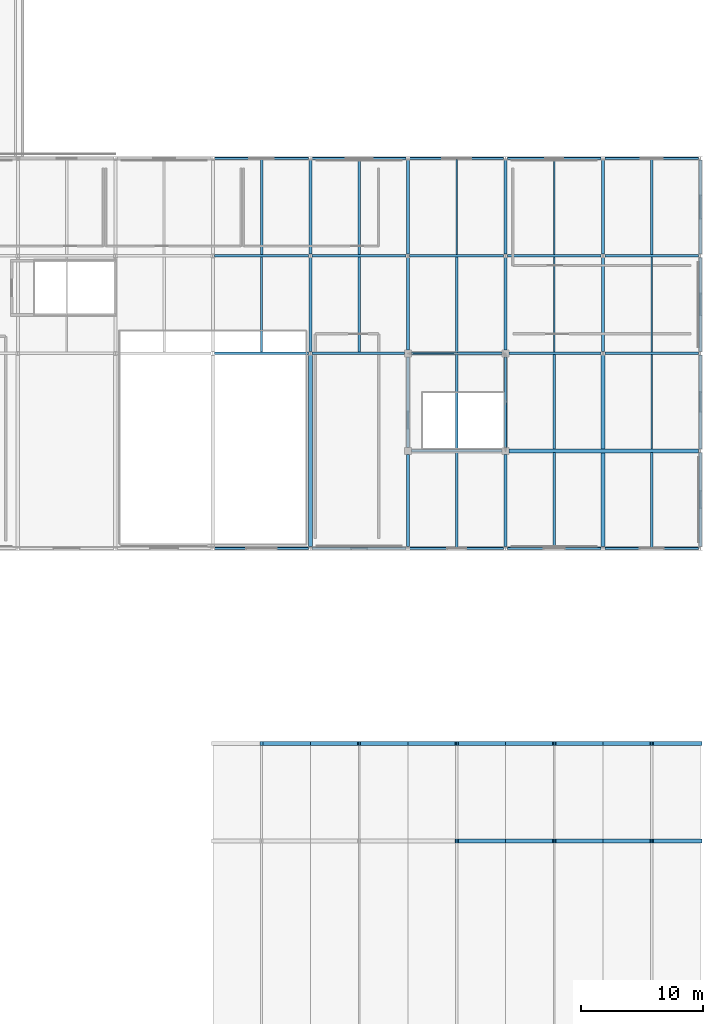
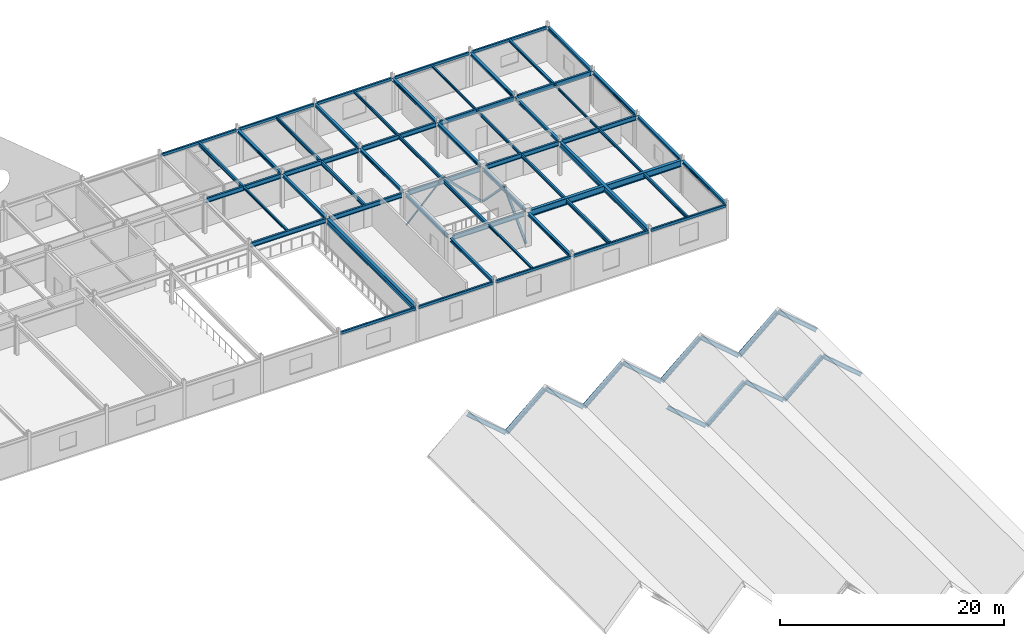
# One storey, part 37 of 88: 56 beams, 18 members.
"""IFC4 building model written with IfcOpenShell, lengths in metres."""

import ifcopenshell
import ifcopenshell.guid

model = None  # the IFC model being written
_history = None  # IfcOwnerHistory: only IFC2X3 demands one
_inside = {}  # id of a spatial element -> (the spatial element, [elements in it])
_under = {}  # id of a project, library or spatial element -> (it, [spatial elements below it])
_declared = {}  # id of a project -> (the project, [libraries it declares])
_typed = {}  # id of a type object -> (the type object, [elements of that type])
_made_of = {}  # id of a material, layer set ... -> (it, [elements and type objects made of it])


def new_model(schema):
    """Start an empty IFC model of exactly this schema.

    Asked for "IFC4X3", IfcOpenShell would pick the latest addendum, in which some entities
    have other attributes; the version numbers below select the first issue.
    IFC2X3 requires an IfcOwnerHistory on every rooted entity: one is made here for all.
    """
    global model, _history
    if schema == "IFC4X3":
        model = ifcopenshell.file(schema_version=(4, 3, 0, 0))
    else:
        model = ifcopenshell.file(schema=schema)
    _inside.clear()
    _under.clear()
    _declared.clear()
    _typed.clear()
    _made_of.clear()
    _history = None
    if model.schema == "IFC2X3":
        org = make("IfcOrganization", Name="unknown")
        user = make(
            "IfcPersonAndOrganization",
            ThePerson=make("IfcPerson", FamilyName="unknown"),
            TheOrganization=org,
        )
        app = make(
            "IfcApplication",
            ApplicationDeveloper=org,
            Version="unknown",
            ApplicationFullName="unknown",
            ApplicationIdentifier="unknown",
        )
        _history = make(
            "IfcOwnerHistory",
            OwningUser=user,
            OwningApplication=app,
            ChangeAction="ADDED",
            CreationDate=0,
        )
    return model


def make(cls, **values):
    """One entity of the class cls with the attributes given. An attribute that is None is left unset."""
    return model.create_entity(
        cls, **{name: value for name, value in values.items() if value is not None}
    )


def rooted(cls, **values):
    """An entity with a GlobalId (a new one), such as an element, a storey or a relation."""
    return make(cls, GlobalId=ifcopenshell.guid.new(), OwnerHistory=_history, **values)


def si_unit(unit_type, name, prefix=None):
    """IfcSIUnit, for example si_unit("LENGTHUNIT", "METRE", prefix="MILLI")."""
    return make("IfcSIUnit", UnitType=unit_type, Prefix=prefix, Name=name)


def assignment(units):
    """IfcUnitAssignment: the units of a project."""
    return None if units is None else make("IfcUnitAssignment", Units=units)


def point(xyz):
    """IfcCartesianPoint."""
    return None if xyz is None else make("IfcCartesianPoint", Coordinates=xyz)


def direction(xyz):
    """IfcDirection."""
    return None if xyz is None else make("IfcDirection", DirectionRatios=xyz)


def frame(location, z_axis=None, x_axis=None):
    """IfcAxis2Placement3D, a coordinate frame: its origin and axes. An axis left out is left unset."""
    return make(
        "IfcAxis2Placement3D",
        Location=point(location),
        Axis=direction(z_axis),
        RefDirection=direction(x_axis),
    )


def frame_2d(location, x_axis=None):
    """IfcAxis2Placement2D, a coordinate frame in the plane: its origin and x axis."""
    return make(
        "IfcAxis2Placement2D", Location=point(location), RefDirection=direction(x_axis)
    )


def origin():
    """The frame at (0, 0, 0) with its axes left unset."""
    return frame((0.0, 0.0, 0.0))


def origin_2d():
    """The frame at (0, 0) in the plane with its x axis left unset."""
    return frame_2d((0.0, 0.0))


def place(relative_to, where):
    """IfcLocalPlacement: puts the frame where relative to a parent placement (None: the world)."""
    return make(
        "IfcLocalPlacement", PlacementRelTo=relative_to, RelativePlacement=where
    )


def context(
    kind, dimensions, precision=None, world=None, true_north=None, identifier=None
):
    """IfcGeometricRepresentationContext, for example the 3D "Model" context."""
    return make(
        "IfcGeometricRepresentationContext",
        ContextIdentifier=identifier,
        ContextType=kind,
        CoordinateSpaceDimension=dimensions,
        Precision=precision,
        WorldCoordinateSystem=world,
        TrueNorth=true_north,
    )


def subcontext(parent, identifier, kind, view, scale=None):
    """IfcGeometricRepresentationSubContext, for example "Body" below "Model"."""
    return make(
        "IfcGeometricRepresentationSubContext",
        ContextIdentifier=identifier,
        ContextType=kind,
        ParentContext=parent,
        TargetScale=scale,
        TargetView=view,
    )


def project(units=None, contexts=None):
    """IfcProject with its units and contexts."""
    return rooted(
        "IfcProject",
        Name="project",
        RepresentationContexts=contexts,
        UnitsInContext=assignment(units),
    )


def spatial(cls, under=None, at=None, **own):
    """A site, building, storey or space (cls), placed at a placement, below another one or the project."""
    s = rooted(cls, ObjectPlacement=at, **own)
    if under is not None:
        _under.setdefault(under.id(), (under, []))[1].append(s)
    return s


def profile(cls, at=None, kind="AREA", **sizes):
    """A parametric profile (cls). Its sizes go by their IFC names, for example OverallWidth=200.0."""
    return make(cls, ProfileType=kind, Position=at, **sizes)


def hollow_rectangle(**sizes):
    """IfcRectangleHollowProfileDef."""
    return profile("IfcRectangleHollowProfileDef", **sizes)


def hollow_circle(**sizes):
    """IfcCircleHollowProfileDef."""
    return profile("IfcCircleHollowProfileDef", **sizes)


def i_section(**sizes):
    """IfcIShapeProfileDef."""
    return profile("IfcIShapeProfileDef", **sizes)


def extrude(swept, where, along, depth):
    """IfcExtrudedAreaSolid: the profile swept, set in the frame where, extruded along a direction by depth."""
    return make(
        "IfcExtrudedAreaSolid",
        SweptArea=swept,
        Position=where,
        ExtrudedDirection=direction(along),
        Depth=depth,
    )


def shape(context_of_items, identifier, shape_type, items):
    """IfcShapeRepresentation: the items that make up one representation, for example the "Body"."""
    return make(
        "IfcShapeRepresentation",
        ContextOfItems=context_of_items,
        RepresentationIdentifier=identifier,
        RepresentationType=shape_type,
        Items=items,
    )


def material(Name=None, Category=None):
    """IfcMaterial."""
    return make("IfcMaterial", Name=Name, Category=Category)


def material_profile(
    of_material, cross_section, Name=None, Category=None, Priority=None
):
    """IfcMaterialProfile: a cross section and its material."""
    return make(
        "IfcMaterialProfile",
        Name=Name,
        Material=of_material,
        Profile=cross_section,
        Priority=Priority,
        Category=Category,
    )


def profile_set(profiles, Name=None, composite=None):
    """IfcMaterialProfileSet."""
    return make(
        "IfcMaterialProfileSet",
        Name=Name,
        MaterialProfiles=profiles,
        CompositeProfile=composite,
    )


def made_of(thing, what):
    """Note that an element or type object is made of a material, layer set ...; save() writes the relation."""
    if what is not None:
        _made_of.setdefault(what.id(), (what, []))[1].append(thing)
    return thing


def type_object(cls, material=None, **own):
    """A type object (cls), such as IfcWallType, which elements share."""
    return made_of(rooted(cls, **own), material)


def element(
    cls,
    number,
    at=None,
    inside=None,
    cuts=None,
    type_object=None,
    material=None,
    context=None,
    identifier="Body",
    shape_type=None,
    held_by="IfcProductDefinitionShape",
    body=None,
    shapes=None,
    **own,
):
    """One element of the class cls, such as IfcWall. Its Tag is "e" and its number.

    at: its placement. inside: the storey or other place that contains it. cuts: it is an
    opening in that element (IfcRelVoidsElement). A single representation is given by context,
    identifier, shape_type and body (its items); several are given by shapes. held_by: the class
    of the entity that holds the representations. save() writes the other relations.
    """
    e = rooted(cls, Tag="e%d" % number, ObjectPlacement=at, **own)
    if body is not None:
        shapes = [shape(context, identifier, shape_type, body)]
    if shapes is not None:
        e.Representation = make(held_by, Representations=shapes)
    if inside is not None:
        _inside.setdefault(inside.id(), (inside, []))[1].append(e)
    if cuts is not None:
        rooted(
            "IfcRelVoidsElement", RelatingBuildingElement=cuts, RelatedOpeningElement=e
        )
    if type_object is not None:
        _typed.setdefault(type_object.id(), (type_object, []))[1].append(e)
    return made_of(e, material)


def aggregate(whole, parts):
    """IfcRelAggregates: a whole, such as a stair, and the parts it consists of."""
    return rooted("IfcRelAggregates", RelatingObject=whole, RelatedObjects=parts)


def save(model, path):
    """Write the relations noted so far, then the file.

    IfcRelAggregates (storeys below a building ...), IfcRelContainedInSpatialStructure (elements
    in a storey), IfcRelDefinesByType, IfcRelAssociatesMaterial and IfcRelDeclares: one each for
    every whole, place, type object, material and project.
    """
    for whole, parts in _under.values():
        aggregate(whole, parts)
    for where, things in _inside.values():
        rooted(
            "IfcRelContainedInSpatialStructure",
            RelatedElements=things,
            RelatingStructure=where,
        )
    for kind, things in _typed.values():
        rooted("IfcRelDefinesByType", RelatedObjects=things, RelatingType=kind)
    for what, things in _made_of.values():
        rooted("IfcRelAssociatesMaterial", RelatedObjects=things, RelatingMaterial=what)
    for by, libraries in _declared.values():
        rooted("IfcRelDeclares", RelatingContext=by, RelatedDefinitions=libraries)
    model.write(path)


model = new_model("IFC4")

# Units and contexts
model_context = context("Model", 3, precision=1e-05, world=origin(), true_north=direction((0.0, 1.0)))
body_context = subcontext(model_context, "Body", "Model", "MODEL_VIEW")
ifc_project = project(units=[si_unit("LENGTHUNIT", "METRE"), si_unit("AREAUNIT", "SQUARE_METRE"), si_unit("VOLUMEUNIT", "CUBIC_METRE"), si_unit("PLANEANGLEUNIT", "RADIAN"), si_unit("MASSUNIT", "GRAM", prefix="KILO")], contexts=[model_context])

# Site, building, storey
site_placement = place(None, origin())
site = spatial("IfcSite", under=ifc_project, at=site_placement, CompositionType="ELEMENT")
building_placement = place(site_placement, origin())
building = spatial("IfcBuilding", under=site, at=building_placement, Name="Zhaolan Boulevard Law Courts", CompositionType="ELEMENT")
storey_placement = place(building_placement, frame((0.0, 0.0, 16.199951171875)))
storey = spatial("IfcBuildingStorey", under=building, at=storey_placement, Name="L03", CompositionType="ELEMENT", Elevation=16.199951171875)

# Members
ifc_material_1 = material(Name="Structural steel Q355B", Category="steel")
ifc_material_profile_1 = material_profile(ifc_material_1, hollow_rectangle(XDim=0.199951171875, YDim=0.199951171875, WallThickness=0.010009765625, InnerFilletRadius=0.010009765625, OuterFilletRadius=0.02001953125, at=origin_2d()), Name="HSS200x200x10")
ifc_profile_set_1 = profile_set([ifc_material_profile_1], Name="Structural steel Q355B")
member_type_1 = type_object("IfcMemberType", Name="BRACE HSS200", PredefinedType="BRACE", material=ifc_profile_set_1)
member_1_placement = place(storey_placement, frame((148.0, 77.820068359375, 0.030029296875), z_axis=(0.0, -0.700651844954, 0.713503323161), x_axis=(1.0, 0.0, 0.0)))
element("IfcMember", 1, at=member_1_placement, inside=storey, type_object=member_type_1, Name="Core Brace BR-T2-L03-E2", PredefinedType="BRACE", context=body_context, shape_type="SweptSolid", body=[
    extrude(hollow_rectangle(XDim=0.199951171875, YDim=0.199951171875, WallThickness=0.010009765625, InnerFilletRadius=0.010009765625, OuterFilletRadius=0.02001953125, at=origin_2d()), origin(), (0.0, 0.0, 1.0), 5.4521484375),
])
ifc_material_2 = material(Name="Structural steel Q355B", Category="steel")
ifc_material_profile_2 = material_profile(ifc_material_2, hollow_rectangle(XDim=0.219970703125, YDim=0.219970703125, WallThickness=0.010009765625, InnerFilletRadius=0.010009765625, OuterFilletRadius=0.02001953125, at=origin_2d()), Name="HSS220x220x10")
ifc_profile_set_2 = profile_set([ifc_material_profile_2], Name="Structural steel Q355B")
member_type_2 = type_object("IfcMemberType", Name="BRACE HSS220", PredefinedType="BRACE", material=ifc_profile_set_2)
for number, where, z_axis, x_axis, name in (
    (2, (147.820068359375, 78.0, 0.030029296875), (-0.700651844954, 0.0, 0.713503323161), (0.0, -1.0, 0.0), "Core Brace BR-T2-L03-N2"),
    (3, (148.0, 70.179931640625, 0.030029296875), (0.0, 0.700651844954, 0.713503323161), (-1.0, 0.0, 0.0), "Core Brace BR-T2-L03-E1"),
):
    element("IfcMember", number, at=place(storey_placement, frame(where, z_axis=z_axis, x_axis=x_axis)), inside=storey, type_object=member_type_2, Name=name, PredefinedType="BRACE", context=body_context, shape_type="SweptSolid", body=[
        extrude(hollow_rectangle(XDim=0.219970703125, YDim=0.219970703125, WallThickness=0.010009765625, InnerFilletRadius=0.010009765625, OuterFilletRadius=0.02001953125, at=origin_2d()), origin(), (0.0, 0.0, 1.0), 5.4521484375),
    ])

# Beams
ifc_material_3 = material(Name="Structural steel Q355B", Category="steel")
ifc_material_profile_3 = material_profile(ifc_material_3, i_section(OverallWidth=0.25, OverallDepth=0.340087890625, WebThickness=0.009033203125, FlangeThickness=0.013916015625, FilletRadius=0.01611328125, at=origin_2d()), Name="HM340x250")
ifc_profile_set_3 = profile_set([ifc_material_profile_3], Name="Structural steel Q355B")
beam_type_1 = type_object("IfcBeamType", Name="GIRDER HM340", PredefinedType="BEAM", material=ifc_profile_set_3)
for number, where, z_axis, x_axis, name in (
    (4, (132.0, 78.14599609375, 3.568115234375), (0.0, 1.0, 0.0), (-1.0, 0.0, 0.0), "Beam BY-L04-17-L-M"),
    (5, (132.0, 86.14599609375, 3.568115234375), (0.0, 1.0, 0.0), (-1.0, 0.0, 0.0), "Beam BY-L04-17-M-N"),
):
    element("IfcBeam", number, at=place(storey_placement, frame(where, z_axis=z_axis, x_axis=x_axis)), inside=storey, type_object=beam_type_1, Name=name, PredefinedType="BEAM", context=body_context, shape_type="SweptSolid", body=[
        extrude(i_section(OverallWidth=0.25, OverallDepth=0.340087890625, WebThickness=0.009033203125, FlangeThickness=0.013916015625, FilletRadius=0.01611328125, at=origin_2d()), origin(), (0.0, 0.0, 1.0), 7.7080078125),
    ])
beam_1_placement = place(storey_placement, frame((140.0, 62.14599609375, 3.568115234375), z_axis=(0.0, 1.0, 0.0), x_axis=(-1.0, 0.0, 0.0)))
element("IfcBeam", 6, at=beam_1_placement, inside=storey, type_object=beam_type_1, Name="Beam BY-L04-18-J-K", PredefinedType="BEAM", context=body_context, shape_type="SweptSolid", body=[
    extrude(i_section(OverallWidth=0.25, OverallDepth=0.340087890625, WebThickness=0.009033203125, FlangeThickness=0.013916015625, FilletRadius=0.01611328125, at=origin_2d()), origin(), (0.0, 0.0, 1.0), 7.55810546875),
])
beam_2_placement = place(storey_placement, frame((140.0, 70.2958984375, 3.568115234375), z_axis=(0.0, 1.0, 0.0), x_axis=(-1.0, 0.0, 0.0)))
element("IfcBeam", 7, at=beam_2_placement, inside=storey, type_object=beam_type_1, Name="Beam BY-L04-18-K-L", PredefinedType="BEAM", context=body_context, shape_type="SweptSolid", body=[
    extrude(i_section(OverallWidth=0.25, OverallDepth=0.340087890625, WebThickness=0.009033203125, FlangeThickness=0.013916015625, FilletRadius=0.01611328125, at=origin_2d()), origin(), (0.0, 0.0, 1.0), 7.408203125),
])
beam_3_placement = place(storey_placement, frame((140.0, 78.2958984375, 3.568115234375), z_axis=(0.0, 1.0, 0.0), x_axis=(-1.0, 0.0, 0.0)))
element("IfcBeam", 8, at=beam_3_placement, inside=storey, type_object=beam_type_1, Name="Beam BY-L04-18-L-M", PredefinedType="BEAM", context=body_context, shape_type="SweptSolid", body=[
    extrude(i_section(OverallWidth=0.25, OverallDepth=0.340087890625, WebThickness=0.009033203125, FlangeThickness=0.013916015625, FilletRadius=0.01611328125, at=origin_2d()), origin(), (0.0, 0.0, 1.0), 7.55810546875),
])
beam_4_placement = place(storey_placement, frame((140.0, 86.14599609375, 3.568115234375), z_axis=(0.0, 1.0, 0.0), x_axis=(-1.0, 0.0, 0.0)))
element("IfcBeam", 9, at=beam_4_placement, inside=storey, type_object=beam_type_1, Name="Beam BY-L04-18-M-N", PredefinedType="BEAM", context=body_context, shape_type="SweptSolid", body=[
    extrude(i_section(OverallWidth=0.25, OverallDepth=0.340087890625, WebThickness=0.009033203125, FlangeThickness=0.013916015625, FilletRadius=0.01611328125, at=origin_2d()), origin(), (0.0, 0.0, 1.0), 7.7080078125),
])
beam_5_placement = place(storey_placement, frame((148.0, 62.14599609375, 3.568115234375), z_axis=(0.0, 1.0, 0.0), x_axis=(-1.0, 0.0, 0.0)))
element("IfcBeam", 10, at=beam_5_placement, inside=storey, type_object=beam_type_1, Name="Beam BY-L04-19-J-K", PredefinedType="BEAM", context=body_context, shape_type="SweptSolid", body=[
    extrude(i_section(OverallWidth=0.25, OverallDepth=0.340087890625, WebThickness=0.009033203125, FlangeThickness=0.013916015625, FilletRadius=0.01611328125, at=origin_2d()), origin(), (0.0, 0.0, 1.0), 7.55810546875),
])
beam_6_placement = place(storey_placement, frame((148.0, 70.2958984375, 3.568115234375), z_axis=(0.0, 1.0, 0.0), x_axis=(-1.0, 0.0, 0.0)))
element("IfcBeam", 11, at=beam_6_placement, inside=storey, type_object=beam_type_1, Name="Beam BY-L04-19-K-L", PredefinedType="BEAM", context=body_context, shape_type="SweptSolid", body=[
    extrude(i_section(OverallWidth=0.25, OverallDepth=0.340087890625, WebThickness=0.009033203125, FlangeThickness=0.013916015625, FilletRadius=0.01611328125, at=origin_2d()), origin(), (0.0, 0.0, 1.0), 7.408203125),
])
beam_7_placement = place(storey_placement, frame((148.0, 78.2958984375, 3.568115234375), z_axis=(0.0, 1.0, 0.0), x_axis=(-1.0, 0.0, 0.0)))
element("IfcBeam", 12, at=beam_7_placement, inside=storey, type_object=beam_type_1, Name="Beam BY-L04-19-L-M", PredefinedType="BEAM", context=body_context, shape_type="SweptSolid", body=[
    extrude(i_section(OverallWidth=0.25, OverallDepth=0.340087890625, WebThickness=0.009033203125, FlangeThickness=0.013916015625, FilletRadius=0.01611328125, at=origin_2d()), origin(), (0.0, 0.0, 1.0), 7.55810546875),
])
for number, where, z_axis, x_axis, name in (
    (13, (148.0, 86.14599609375, 3.568115234375), (0.0, 1.0, 0.0), (-1.0, 0.0, 0.0), "Beam BY-L04-19-M-N"),
    (14, (156.0, 78.14599609375, 3.568115234375), (0.0, 1.0, 0.0), (-1.0, 0.0, 0.0), "Beam BY-L04-20-L-M"),
    (15, (156.0, 86.14599609375, 3.568115234375), (0.0, 1.0, 0.0), (-1.0, 0.0, 0.0), "Beam BY-L04-20-M-N"),
    (16, (164.0, 62.14599609375, 3.568115234375), (0.0, 1.0, 0.0), (-1.0, 0.0, 0.0), "Beam BY-L04-21-J-K"),
    (17, (164.0, 70.14599609375, 3.568115234375), (0.0, 1.0, 0.0), (-1.0, 0.0, 0.0), "Beam BY-L04-21-K-L"),
    (18, (164.0, 78.14599609375, 3.568115234375), (0.0, 1.0, 0.0), (-1.0, 0.0, 0.0), "Beam BY-L04-21-L-M"),
    (19, (164.0, 86.14599609375, 3.568115234375), (0.0, 1.0, 0.0), (-1.0, 0.0, 0.0), "Beam BY-L04-21-M-N"),
):
    element("IfcBeam", number, at=place(storey_placement, frame(where, z_axis=z_axis, x_axis=x_axis)), inside=storey, type_object=beam_type_1, Name=name, PredefinedType="BEAM", context=body_context, shape_type="SweptSolid", body=[
        extrude(i_section(OverallWidth=0.25, OverallDepth=0.340087890625, WebThickness=0.009033203125, FlangeThickness=0.013916015625, FilletRadius=0.01611328125, at=origin_2d()), origin(), (0.0, 0.0, 1.0), 7.7080078125),
    ])
ifc_material_4 = material(Name="Structural steel Q390B", Category="steel")
ifc_material_profile_4 = material_profile(ifc_material_4, i_section(OverallWidth=0.300048828125, OverallDepth=0.587890625, WebThickness=0.011962890625, FlangeThickness=0.02001953125, FilletRadius=0.02392578125, at=origin_2d()), Name="HM588x300")
ifc_profile_set_4 = profile_set([ifc_material_profile_4], Name="Structural steel Q390B")
beam_type_2 = type_object("IfcBeamType", Name="GIRDER HM588", PredefinedType="BEAM", material=ifc_profile_set_4)
for number, where, z_axis, x_axis, name in (
    (20, (132.0, 62.14599609375, 3.444091796875), (0.0, 1.0, 0.0), (-1.0, 0.0, 0.0), "Beam BY-L04-17-J-L"),
    (21, (156.0, 62.14599609375, 3.444091796875), (0.0, 1.0, 0.0), (-1.0, 0.0, 0.0), "Beam BY-L04-20-J-L"),
):
    element("IfcBeam", number, at=place(storey_placement, frame(where, z_axis=z_axis, x_axis=x_axis)), inside=storey, type_object=beam_type_2, Name=name, PredefinedType="BEAM", context=body_context, shape_type="SweptSolid", body=[
        extrude(i_section(OverallWidth=0.300048828125, OverallDepth=0.587890625, WebThickness=0.011962890625, FlangeThickness=0.02001953125, FilletRadius=0.02392578125, at=origin_2d()), origin(), (0.0, 0.0, 1.0), 15.7080078125),
    ])
ifc_material_5 = material(Name="Structural steel Q355B", Category="steel")
ifc_material_profile_5 = material_profile(ifc_material_5, i_section(OverallWidth=0.199951171875, OverallDepth=0.5, WebThickness=0.010009765625, FlangeThickness=0.01611328125, FilletRadius=0.01806640625, at=origin_2d()), Name="HN500x200")
ifc_profile_set_5 = profile_set([ifc_material_profile_5], Name="Structural steel Q355B")
beam_type_3 = type_object("IfcBeamType", Name="GIRDER HN500", PredefinedType="BEAM", material=ifc_profile_set_5)
beam_8_placement = place(storey_placement, frame((140.2958984375, 70.0, 3.488037109375), z_axis=(1.0, 0.0, 0.0), x_axis=(0.0, 1.0, 0.0)))
element("IfcBeam", 22, at=beam_8_placement, inside=storey, type_object=beam_type_3, Name="Beam BX-L04-18-19-K", PredefinedType="BEAM", context=body_context, shape_type="SweptSolid", body=[
    extrude(i_section(OverallWidth=0.199951171875, OverallDepth=0.5, WebThickness=0.010009765625, FlangeThickness=0.01611328125, FilletRadius=0.01806640625, at=origin_2d()), origin(), (0.0, 0.0, 1.0), 7.408203125),
])
beam_9_placement = place(storey_placement, frame((124.14599609375, 78.0, 3.488037109375), z_axis=(1.0, 0.0, 0.0), x_axis=(0.0, 1.0, 0.0)))
element("IfcBeam", 23, at=beam_9_placement, inside=storey, type_object=beam_type_3, Name="Beam BX-L04-16-17-L", PredefinedType="BEAM", context=body_context, shape_type="SweptSolid", body=[
    extrude(i_section(OverallWidth=0.199951171875, OverallDepth=0.5, WebThickness=0.010009765625, FlangeThickness=0.01611328125, FilletRadius=0.01806640625, at=origin_2d()), origin(), (0.0, 0.0, 1.0), 7.7080078125),
])
beam_10_placement = place(storey_placement, frame((132.14599609375, 78.0, 3.488037109375), z_axis=(1.0, 0.0, 0.0), x_axis=(0.0, 1.0, 0.0)))
element("IfcBeam", 24, at=beam_10_placement, inside=storey, type_object=beam_type_3, Name="Beam BX-L04-17-18-L", PredefinedType="BEAM", context=body_context, shape_type="SweptSolid", body=[
    extrude(i_section(OverallWidth=0.199951171875, OverallDepth=0.5, WebThickness=0.010009765625, FlangeThickness=0.01611328125, FilletRadius=0.01806640625, at=origin_2d()), origin(), (0.0, 0.0, 1.0), 7.55810546875),
])
beam_11_placement = place(storey_placement, frame((140.2958984375, 78.0, 3.488037109375), z_axis=(1.0, 0.0, 0.0), x_axis=(0.0, 1.0, 0.0)))
element("IfcBeam", 25, at=beam_11_placement, inside=storey, type_object=beam_type_3, Name="Beam BX-L04-18-19-L", PredefinedType="BEAM", context=body_context, shape_type="SweptSolid", body=[
    extrude(i_section(OverallWidth=0.199951171875, OverallDepth=0.5, WebThickness=0.010009765625, FlangeThickness=0.01611328125, FilletRadius=0.01806640625, at=origin_2d()), origin(), (0.0, 0.0, 1.0), 7.408203125),
])
beam_12_placement = place(storey_placement, frame((148.2958984375, 78.0, 3.488037109375), z_axis=(1.0, 0.0, 0.0), x_axis=(0.0, 1.0, 0.0)))
element("IfcBeam", 26, at=beam_12_placement, inside=storey, type_object=beam_type_3, Name="Beam BX-L04-19-20-L", PredefinedType="BEAM", context=body_context, shape_type="SweptSolid", body=[
    extrude(i_section(OverallWidth=0.199951171875, OverallDepth=0.5, WebThickness=0.010009765625, FlangeThickness=0.01611328125, FilletRadius=0.01806640625, at=origin_2d()), origin(), (0.0, 0.0, 1.0), 7.55810546875),
])
for number, where, z_axis, x_axis, name in (
    (27, (156.14599609375, 78.0, 3.488037109375), (1.0, 0.0, 0.0), (0.0, 1.0, 0.0), "Beam BX-L04-20-21-L"),
    (28, (124.14599609375, 86.0, 3.488037109375), (1.0, 0.0, 0.0), (0.0, 1.0, 0.0), "Beam BX-L04-16-17-M"),
    (29, (132.14599609375, 86.0, 3.488037109375), (1.0, 0.0, 0.0), (0.0, 1.0, 0.0), "Beam BX-L04-17-18-M"),
    (30, (140.14599609375, 86.0, 3.488037109375), (1.0, 0.0, 0.0), (0.0, 1.0, 0.0), "Beam BX-L04-18-19-M"),
    (31, (148.14599609375, 86.0, 3.488037109375), (1.0, 0.0, 0.0), (0.0, 1.0, 0.0), "Beam BX-L04-19-20-M"),
    (32, (156.14599609375, 86.0, 3.488037109375), (1.0, 0.0, 0.0), (0.0, 1.0, 0.0), "Beam BX-L04-20-21-M"),
):
    element("IfcBeam", number, at=place(storey_placement, frame(where, z_axis=z_axis, x_axis=x_axis)), inside=storey, type_object=beam_type_3, Name=name, PredefinedType="BEAM", context=body_context, shape_type="SweptSolid", body=[
        extrude(i_section(OverallWidth=0.199951171875, OverallDepth=0.5, WebThickness=0.010009765625, FlangeThickness=0.01611328125, FilletRadius=0.01806640625, at=origin_2d()), origin(), (0.0, 0.0, 1.0), 7.7080078125),
    ])
ifc_material_6 = material(Name="Structural steel Q390B", Category="steel")
ifc_material_profile_6 = material_profile(ifc_material_6, i_section(OverallWidth=0.300048828125, OverallDepth=0.699951171875, WebThickness=0.012939453125, FlangeThickness=0.02392578125, FilletRadius=0.02392578125, at=origin_2d()), Name="HN700x300")
ifc_profile_set_6 = profile_set([ifc_material_profile_6], Name="Structural steel Q390B")
beam_type_4 = type_object("IfcBeamType", Name="GIRDER HN700", PredefinedType="BEAM", material=ifc_profile_set_6)
beam_13_placement = place(storey_placement, frame((148.2958984375, 70.0, 3.387939453125), z_axis=(1.0, 0.0, 0.0), x_axis=(0.0, 1.0, 0.0)))
element("IfcBeam", 33, at=beam_13_placement, inside=storey, type_object=beam_type_4, Name="Beam BX-L04-19-21-K", PredefinedType="BEAM", context=body_context, shape_type="SweptSolid", body=[
    extrude(i_section(OverallWidth=0.300048828125, OverallDepth=0.699951171875, WebThickness=0.012939453125, FlangeThickness=0.02392578125, FilletRadius=0.02392578125, at=origin_2d()), origin(), (0.0, 0.0, 1.0), 15.55810546875),
])
ifc_material_7 = material(Name="Structural steel Q355B", Category="steel")
ifc_material_profile_7 = material_profile(ifc_material_7, i_section(OverallWidth=0.175048828125, OverallDepth=0.243896484375, WebThickness=0.007080078125, FlangeThickness=0.010986328125, FilletRadius=0.012939453125, at=origin_2d()), Name="HM244x175")
ifc_profile_set_7 = profile_set([ifc_material_profile_7], Name="Structural steel Q355B")
beam_type_5 = type_object("IfcBeamType", Name="JOIST HM244", PredefinedType="JOIST", material=ifc_profile_set_7)
for number, where, z_axis, x_axis, name in (
    (34, (128.0, 78.095947265625, 3.615966796875), (0.0, 1.0, 0.0), (-1.0, 0.0, 0.0), "Composite Joist J-L04-16L"),
    (35, (144.0, 62.095947265625, 3.615966796875), (0.0, 1.0, 0.0), (-1.0, 0.0, 0.0), "Composite Joist J-L04-18J"),
):
    element("IfcBeam", number, at=place(storey_placement, frame(where, z_axis=z_axis, x_axis=x_axis)), inside=storey, type_object=beam_type_5, Name=name, PredefinedType="JOIST", context=body_context, shape_type="SweptSolid", body=[
        extrude(i_section(OverallWidth=0.175048828125, OverallDepth=0.243896484375, WebThickness=0.007080078125, FlangeThickness=0.010986328125, FilletRadius=0.012939453125, at=origin_2d()), origin(), (0.0, 0.0, 1.0), 7.80810546875),
    ])
ifc_material_8 = material(Name="Structural steel Q355B", Category="steel")
ifc_material_profile_8 = material_profile(ifc_material_8, i_section(OverallWidth=0.199951171875, OverallDepth=0.2939453125, WebThickness=0.008056640625, FlangeThickness=0.011962890625, FilletRadius=0.01611328125, at=origin_2d()), Name="HM294x200")
ifc_profile_set_8 = profile_set([ifc_material_profile_8], Name="Structural steel Q355B")
beam_type_6 = type_object("IfcBeamType", Name="JOIST HM294", PredefinedType="JOIST", material=ifc_profile_set_8)
beam_14_placement = place(storey_placement, frame((160.0, 86.095947265625, 3.591064453125), z_axis=(0.0, 1.0, 0.0), x_axis=(-1.0, 0.0, 0.0)))
element("IfcBeam", 36, at=beam_14_placement, inside=storey, type_object=beam_type_6, Name="Composite Joist J-L04-20M", PredefinedType="JOIST", context=body_context, shape_type="SweptSolid", body=[
    extrude(i_section(OverallWidth=0.199951171875, OverallDepth=0.2939453125, WebThickness=0.008056640625, FlangeThickness=0.011962890625, FilletRadius=0.01611328125, at=origin_2d()), origin(), (0.0, 0.0, 1.0), 7.80810546875),
])
ifc_material_9 = material(Name="Structural steel Q355B", Category="steel")
ifc_material_profile_9 = material_profile(ifc_material_9, i_section(OverallWidth=0.125, OverallDepth=0.25, WebThickness=0.006103515625, FlangeThickness=0.009033203125, FilletRadius=0.010009765625, at=origin_2d()), Name="HN250x125")
ifc_profile_set_9 = profile_set([ifc_material_profile_9], Name="Structural steel Q355B")
beam_type_7 = type_object("IfcBeamType", Name="JOIST HN250", PredefinedType="JOIST", material=ifc_profile_set_9)
for number, where, z_axis, x_axis, name in (
    (37, (152.0, 86.095947265625, 3.613037109375), (0.0, 1.0, 0.0), (-1.0, 0.0, 0.0), "Composite Joist J-L04-19M"),
    (38, (160.0, 78.095947265625, 3.613037109375), (0.0, 1.0, 0.0), (-1.0, 0.0, 0.0), "Composite Joist J-L04-20L"),
):
    element("IfcBeam", number, at=place(storey_placement, frame(where, z_axis=z_axis, x_axis=x_axis)), inside=storey, type_object=beam_type_7, Name=name, PredefinedType="JOIST", context=body_context, shape_type="SweptSolid", body=[
        extrude(i_section(OverallWidth=0.125, OverallDepth=0.25, WebThickness=0.006103515625, FlangeThickness=0.009033203125, FilletRadius=0.010009765625, at=origin_2d()), origin(), (0.0, 0.0, 1.0), 7.80810546875),
    ])
ifc_material_10 = material(Name="Structural steel Q355B", Category="steel")
ifc_material_profile_10 = material_profile(ifc_material_10, i_section(OverallWidth=0.14990234375, OverallDepth=0.300048828125, WebThickness=0.006591796875, FlangeThickness=0.009033203125, FilletRadius=0.010986328125, at=origin_2d()), Name="HN300x150")
ifc_profile_set_10 = profile_set([ifc_material_profile_10], Name="Structural steel Q355B")
beam_type_8 = type_object("IfcBeamType", Name="JOIST HN300", PredefinedType="JOIST", material=ifc_profile_set_10)
for number, where, z_axis, x_axis, name in (
    (39, (144.0, 86.095947265625, 3.588134765625), (0.0, 1.0, 0.0), (-1.0, 0.0, 0.0), "Composite Joist J-L04-18M"),
    (40, (152.0, 78.095947265625, 3.588134765625), (0.0, 1.0, 0.0), (-1.0, 0.0, 0.0), "Composite Joist J-L04-19L"),
):
    element("IfcBeam", number, at=place(storey_placement, frame(where, z_axis=z_axis, x_axis=x_axis)), inside=storey, type_object=beam_type_8, Name=name, PredefinedType="JOIST", context=body_context, shape_type="SweptSolid", body=[
        extrude(i_section(OverallWidth=0.14990234375, OverallDepth=0.300048828125, WebThickness=0.006591796875, FlangeThickness=0.009033203125, FilletRadius=0.010986328125, at=origin_2d()), origin(), (0.0, 0.0, 1.0), 7.80810546875),
    ])
beam_15_placement = place(storey_placement, frame((160.0, 70.14599609375, 3.588134765625), z_axis=(0.0, 1.0, 0.0), x_axis=(-1.0, 0.0, 0.0)))
element("IfcBeam", 41, at=beam_15_placement, inside=storey, type_object=beam_type_8, Name="Composite Joist J-L04-20K", PredefinedType="JOIST", context=body_context, shape_type="SweptSolid", body=[
    extrude(i_section(OverallWidth=0.14990234375, OverallDepth=0.300048828125, WebThickness=0.006591796875, FlangeThickness=0.009033203125, FilletRadius=0.010986328125, at=origin_2d()), origin(), (0.0, 0.0, 1.0), 7.758056640625),
])
ifc_material_11 = material(Name="Structural steel Q355B", Category="steel")
ifc_material_profile_11 = material_profile(ifc_material_11, i_section(OverallWidth=0.175048828125, OverallDepth=0.35009765625, WebThickness=0.007080078125, FlangeThickness=0.010986328125, FilletRadius=0.012939453125, at=origin_2d()), Name="HN350x175")
ifc_profile_set_11 = profile_set([ifc_material_profile_11], Name="Structural steel Q355B")
beam_type_9 = type_object("IfcBeamType", Name="JOIST HN350", PredefinedType="JOIST", material=ifc_profile_set_11)
for number, where, z_axis, x_axis, name in (
    (42, (136.0, 86.095947265625, 3.56298828125), (0.0, 1.0, 0.0), (-1.0, 0.0, 0.0), "Composite Joist J-L04-17M"),
    (43, (144.0, 78.095947265625, 3.56298828125), (0.0, 1.0, 0.0), (-1.0, 0.0, 0.0), "Composite Joist J-L04-18L"),
):
    element("IfcBeam", number, at=place(storey_placement, frame(where, z_axis=z_axis, x_axis=x_axis)), inside=storey, type_object=beam_type_9, Name=name, PredefinedType="JOIST", context=body_context, shape_type="SweptSolid", body=[
        extrude(i_section(OverallWidth=0.175048828125, OverallDepth=0.35009765625, WebThickness=0.007080078125, FlangeThickness=0.010986328125, FilletRadius=0.012939453125, at=origin_2d()), origin(), (0.0, 0.0, 1.0), 7.80810546875),
    ])
for number, where, z_axis, x_axis, name in (
    (44, (152.0, 70.14599609375, 3.56298828125), (0.0, 1.0, 0.0), (-1.0, 0.0, 0.0), "Composite Joist J-L04-19K"),
    (45, (160.0, 62.095947265625, 3.56298828125), (0.0, 1.0, 0.0), (-1.0, 0.0, 0.0), "Composite Joist J-L04-20J"),
):
    element("IfcBeam", number, at=place(storey_placement, frame(where, z_axis=z_axis, x_axis=x_axis)), inside=storey, type_object=beam_type_9, Name=name, PredefinedType="JOIST", context=body_context, shape_type="SweptSolid", body=[
        extrude(i_section(OverallWidth=0.175048828125, OverallDepth=0.35009765625, WebThickness=0.007080078125, FlangeThickness=0.010986328125, FilletRadius=0.012939453125, at=origin_2d()), origin(), (0.0, 0.0, 1.0), 7.758056640625),
    ])
ifc_material_12 = material(Name="Structural steel Q355B", Category="steel")
ifc_material_profile_12 = material_profile(ifc_material_12, i_section(OverallWidth=0.199951171875, OverallDepth=0.39990234375, WebThickness=0.008056640625, FlangeThickness=0.012939453125, FilletRadius=0.013916015625, at=origin_2d()), Name="HN400x200")
ifc_profile_set_12 = profile_set([ifc_material_profile_12], Name="Structural steel Q355B")
beam_type_10 = type_object("IfcBeamType", Name="JOIST HN400", PredefinedType="JOIST", material=ifc_profile_set_12)
for number, where, z_axis, x_axis, name in (
    (46, (128.0, 86.095947265625, 3.5380859375), (0.0, 1.0, 0.0), (-1.0, 0.0, 0.0), "Composite Joist J-L04-16M"),
    (47, (136.0, 78.095947265625, 3.5380859375), (0.0, 1.0, 0.0), (-1.0, 0.0, 0.0), "Composite Joist J-L04-17L"),
    (48, (144.0, 70.095947265625, 3.5380859375), (0.0, 1.0, 0.0), (-1.0, 0.0, 0.0), "Composite Joist J-L04-18K"),
):
    element("IfcBeam", number, at=place(storey_placement, frame(where, z_axis=z_axis, x_axis=x_axis)), inside=storey, type_object=beam_type_10, Name=name, PredefinedType="JOIST", context=body_context, shape_type="SweptSolid", body=[
        extrude(i_section(OverallWidth=0.199951171875, OverallDepth=0.39990234375, WebThickness=0.008056640625, FlangeThickness=0.012939453125, FilletRadius=0.013916015625, at=origin_2d()), origin(), (0.0, 0.0, 1.0), 7.80810546875),
    ])
beam_16_placement = place(storey_placement, frame((152.0, 62.095947265625, 3.5380859375), z_axis=(0.0, 1.0, 0.0), x_axis=(-1.0, 0.0, 0.0)))
element("IfcBeam", 49, at=beam_16_placement, inside=storey, type_object=beam_type_10, Name="Composite Joist J-L04-19J", PredefinedType="JOIST", context=body_context, shape_type="SweptSolid", body=[
    extrude(i_section(OverallWidth=0.199951171875, OverallDepth=0.39990234375, WebThickness=0.008056640625, FlangeThickness=0.012939453125, FilletRadius=0.013916015625, at=origin_2d()), origin(), (0.0, 0.0, 1.0), 7.758056640625),
])

# Members
ifc_material_13 = material(Name="Structural steel Q355B", Category="steel")
ifc_material_profile_13 = material_profile(ifc_material_13, i_section(OverallWidth=0.300048828125, OverallDepth=0.389892578125, WebThickness=0.010009765625, FlangeThickness=0.01611328125, FilletRadius=0.01806640625, at=origin_2d()), Name="HM390x300")
ifc_profile_set_13 = profile_set([ifc_material_profile_13], Name="Structural steel Q355B")
member_type_3 = type_object("IfcMemberType", Name="RAFTER HM390", PredefinedType="RAFTER", material=ifc_profile_set_13)
for number, where, z_axis, x_axis, name in (
    (50, (132.0, 46.0, -0.349853515625), (-0.757253091298, 0.0, 0.653121547432), (0.0, -1.0, 0.0), "Folded-Plate Rafter FPR-1E"),
    (51, (132.0, 46.0, -0.349853515625), (0.757253091298, 0.0, 0.653121547432), (0.0, 1.0, 0.0), "Folded-Plate Rafter FPR-2W"),
    (52, (140.0, 46.0, -0.349853515625), (-0.757253091298, 0.0, 0.653121547432), (0.0, -1.0, 0.0), "Folded-Plate Rafter FPR-2E"),
    (53, (148.0, 38.0, -0.349853515625), (-0.757253091298, 0.0, 0.653121547432), (0.0, -1.0, 0.0), "Folded-Plate Rafter FPR-3E"),
    (54, (140.0, 46.0, -0.349853515625), (0.757253091298, 0.0, 0.653121547432), (0.0, 1.0, 0.0), "Folded-Plate Rafter FPR-3W"),
    (55, (148.0, 46.0, -0.349853515625), (-0.757253091298, 0.0, 0.653121547432), (0.0, -1.0, 0.0), "Folded-Plate Rafter FPR-3E"),
    (56, (148.0, 38.0, -0.349853515625), (0.757253091298, 0.0, 0.653121547432), (0.0, 1.0, 0.0), "Folded-Plate Rafter FPR-4W"),
    (57, (156.0, 38.0, -0.349853515625), (-0.757253091298, 0.0, 0.653121547432), (0.0, -1.0, 0.0), "Folded-Plate Rafter FPR-4E"),
    (58, (148.0, 46.0, -0.349853515625), (0.757253091298, 0.0, 0.653121547432), (0.0, 1.0, 0.0), "Folded-Plate Rafter FPR-4W"),
    (59, (156.0, 46.0, -0.349853515625), (-0.757253091298, 0.0, 0.653121547432), (0.0, -1.0, 0.0), "Folded-Plate Rafter FPR-4E"),
    (60, (156.0, 38.0, -0.349853515625), (0.757253091298, 0.0, 0.653121547432), (0.0, 1.0, 0.0), "Folded-Plate Rafter FPR-5W"),
    (61, (164.0, 38.0, -0.349853515625), (-0.757253091298, 0.0, 0.653121547432), (0.0, -1.0, 0.0), "Folded-Plate Rafter FPR-5E"),
    (62, (156.0, 46.0, -0.349853515625), (0.757253091298, 0.0, 0.653121547432), (0.0, 1.0, 0.0), "Folded-Plate Rafter FPR-5W"),
    (63, (164.0, 46.0, -0.349853515625), (-0.757253091298, 0.0, 0.653121547432), (0.0, -1.0, 0.0), "Folded-Plate Rafter FPR-5E"),
):
    element("IfcMember", number, at=place(storey_placement, frame(where, z_axis=z_axis, x_axis=x_axis)), inside=storey, type_object=member_type_3, Name=name, PredefinedType="RAFTER", context=body_context, shape_type="SweptSolid", body=[
        extrude(i_section(OverallWidth=0.300048828125, OverallDepth=0.389892578125, WebThickness=0.010009765625, FlangeThickness=0.01611328125, FilletRadius=0.01806640625, at=origin_2d()), origin(), (0.0, 0.0, 1.0), 5.2822265625),
    ])

# Beams
ifc_material_14 = material(Name="Structural steel Q355B", Category="steel")
ifc_material_profile_14 = material_profile(ifc_material_14, hollow_rectangle(XDim=0.199951171875, YDim=0.300048828125, WallThickness=0.011962890625, InnerFilletRadius=0.011962890625, OuterFilletRadius=0.02392578125, at=origin_2d()), Name="HSS300x200x12")
ifc_profile_set_14 = profile_set([ifc_material_profile_14], Name="Structural steel Q355B")
beam_type_11 = type_object("IfcBeamType", Name="SPANDREL HSS300", PredefinedType="SPANDREL", material=ifc_profile_set_14)
for number, where, z_axis, x_axis, name in (
    (64, (124.14599609375, 62.0, 3.588134765625), (1.0, 0.0, 0.0), (0.0, 1.0, 0.0), "Beam BX-L04-16-17-J"),
    (65, (132.14599609375, 62.0, 3.588134765625), (1.0, 0.0, 0.0), (0.0, 1.0, 0.0), "Beam BX-L04-17-18-J"),
    (66, (140.14599609375, 62.0, 3.588134765625), (1.0, 0.0, 0.0), (0.0, 1.0, 0.0), "Beam BX-L04-18-19-J"),
    (67, (148.14599609375, 62.0, 3.588134765625), (1.0, 0.0, 0.0), (0.0, 1.0, 0.0), "Beam BX-L04-19-20-J"),
    (68, (156.14599609375, 62.0, 3.588134765625), (1.0, 0.0, 0.0), (0.0, 1.0, 0.0), "Beam BX-L04-20-21-J"),
    (69, (124.14599609375, 94.0, 3.588134765625), (1.0, 0.0, 0.0), (0.0, 1.0, 0.0), "Beam BX-L04-16-17-N"),
    (70, (132.14599609375, 94.0, 3.588134765625), (1.0, 0.0, 0.0), (0.0, 1.0, 0.0), "Beam BX-L04-17-18-N"),
    (71, (140.14599609375, 94.0, 3.588134765625), (1.0, 0.0, 0.0), (0.0, 1.0, 0.0), "Beam BX-L04-18-19-N"),
    (72, (148.14599609375, 94.0, 3.588134765625), (1.0, 0.0, 0.0), (0.0, 1.0, 0.0), "Beam BX-L04-19-20-N"),
    (73, (156.14599609375, 94.0, 3.588134765625), (1.0, 0.0, 0.0), (0.0, 1.0, 0.0), "Beam BX-L04-20-21-N"),
):
    element("IfcBeam", number, at=place(storey_placement, frame(where, z_axis=z_axis, x_axis=x_axis)), inside=storey, type_object=beam_type_11, Name=name, PredefinedType="SPANDREL", context=body_context, shape_type="SweptSolid", body=[
        extrude(hollow_rectangle(XDim=0.199951171875, YDim=0.300048828125, WallThickness=0.011962890625, InnerFilletRadius=0.011962890625, OuterFilletRadius=0.02392578125, at=origin_2d()), origin(), (0.0, 0.0, 1.0), 7.7080078125),
    ])

# Member
ifc_material_15 = material(Name="Structural steel Q355B", Category="steel")
ifc_material_profile_15 = material_profile(ifc_material_15, hollow_circle(Radius=0.083984375, WallThickness=0.008056640625, at=origin_2d()), Name="CHS168x8")
ifc_profile_set_15 = profile_set([ifc_material_profile_15], Name="Structural steel Q355B")
member_type_4 = type_object("IfcMemberType", Name="STRUT CHS168", PredefinedType="BRACE", material=ifc_profile_set_15)
member_2_placement = place(storey_placement, frame((140.179931640625, 78.0, 0.030029296875), z_axis=(0.700651844954, 0.0, 0.713503323161), x_axis=(0.0, 1.0, 0.0)))
element("IfcMember", 74, at=member_2_placement, inside=storey, type_object=member_type_4, Name="Core Brace BR-T2-L03-N1", PredefinedType="BRACE", context=body_context, shape_type="SweptSolid", body=[
    extrude(hollow_circle(Radius=0.083984375, WallThickness=0.008056640625, at=origin_2d()), origin(), (0.0, 0.0, 1.0), 5.4521484375),
])

save(model, "model.ifc")
